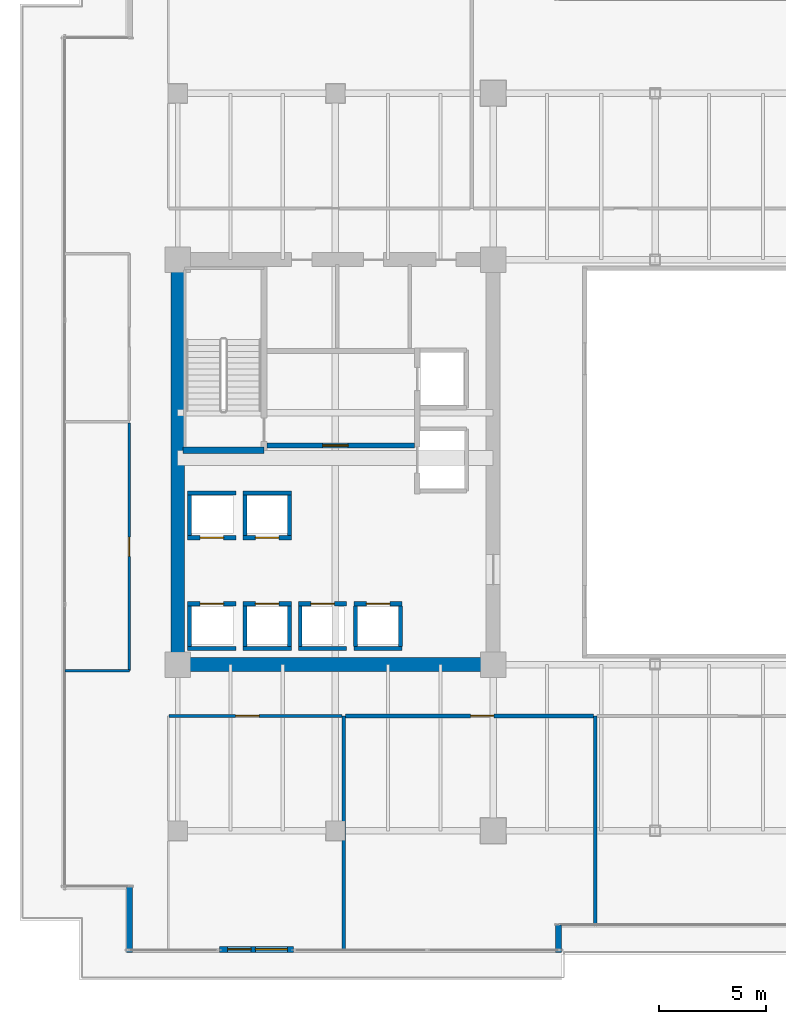
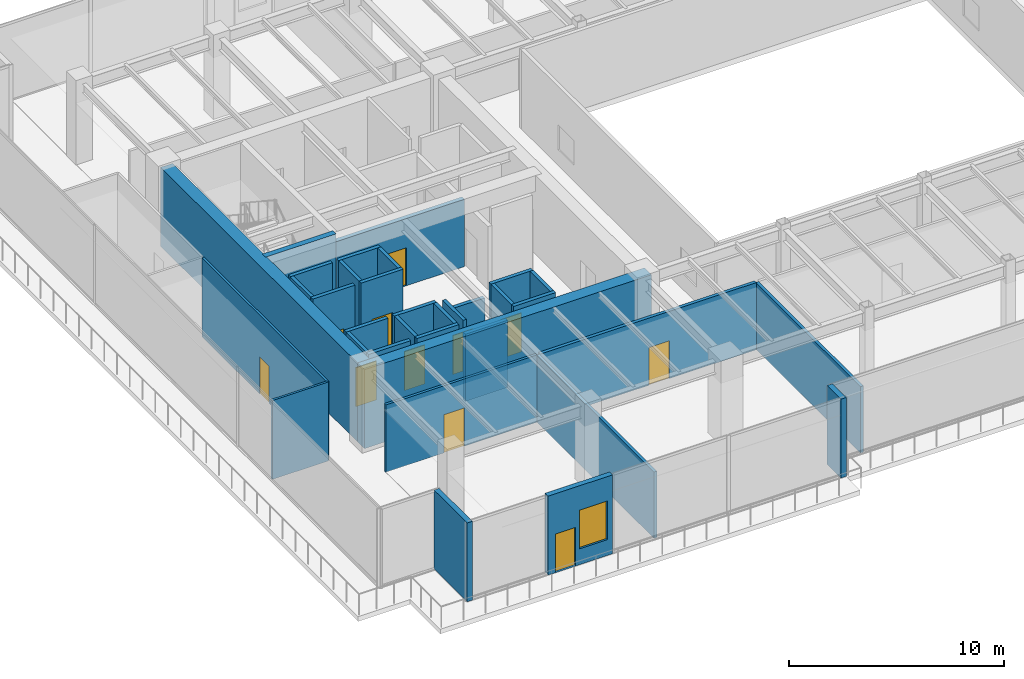
# One storey, part 25 of 33: 34 walls, 11 doors, 1 window, 12 openings.
"""IFC4 building model written with IfcOpenShell, lengths in metres."""

from ifc_helpers import new_model, si_unit, direction, frame, frame_2d, origin, place, context, subcontext, project, spatial, rectangle, extrude, source, transform, mapped, material, layer, layer_set, type_object, type_shapes, element, fill, save


model = new_model("IFC4")

# Units and contexts
model_context = context("Model", 3, precision=1e-05, world=origin(), true_north=direction((0.0, 1.0)))
body_context = subcontext(model_context, "Body", "Model", "MODEL_VIEW")
ifc_project = project(units=[si_unit("LENGTHUNIT", "METRE"), si_unit("AREAUNIT", "SQUARE_METRE"), si_unit("VOLUMEUNIT", "CUBIC_METRE"), si_unit("PLANEANGLEUNIT", "RADIAN"), si_unit("MASSUNIT", "GRAM", prefix="KILO")], contexts=[model_context])

# Site, building, storey
site_placement = place(None, origin())
site = spatial("IfcSite", under=ifc_project, at=site_placement, CompositionType="ELEMENT")
building_placement = place(site_placement, origin())
building = spatial("IfcBuilding", under=site, at=building_placement, Name="Haelvirn Gate Laboratories", CompositionType="ELEMENT")
storey_placement = place(building_placement, frame((0.0, 0.0, 100.300048828125)))
storey = spatial("IfcBuildingStorey", under=building, at=storey_placement, Name="L24", CompositionType="ELEMENT", Elevation=100.300048828125)

# Wall, openings, door, window
ifc_material_1 = material(Name="Thermally-broken bronze aluminium rainscreen & mineral wool", Category="aluminium")
ifc_layer_1 = layer(ifc_material_1, 0.280029296875, Name="EW-TERR-280")
ifc_layer_set_1 = layer_set([ifc_layer_1], Name="Thermally-broken bronze aluminium rainscreen & mineral wool")
wall_type_1 = type_object("IfcWallType", Name="EW-TERR-280", PredefinedType="STANDARD", material=ifc_layer_set_1)
wall_1_placement = place(storey_placement, frame((9.35693359375, 1.43994140625, 0.0), z_axis=(0.0, 0.0, 1.0), x_axis=(1.0, 0.0, 0.0)))
wall_1 = element("IfcWall", 1, at=wall_1_placement, inside=storey, type_object=wall_type_1, Name="L24 Terrace Access Wall SETB-S", PredefinedType="STANDARD", context=body_context, shape_type="SweptSolid", body=[
    extrude(rectangle(XDim=3.466064453125, YDim=0.280029296875, at=frame_2d((1.73291015625, 0.0))), origin(), (0.0, 0.0, 1.0), 4.489990234375),
])
opening_1_placement = place(wall_1_placement, frame((0.383056640625, 0.0, 0.0)))
opening_1 = element("IfcOpeningElement", 2, at=opening_1_placement, cuts=wall_1, Name="Opening TD1", PredefinedType="OPENING", context=body_context, shape_type="SweptSolid", body=[
    extrude(rectangle(XDim=1.10009765625, YDim=2.199951171875, at=frame_2d((0.550048828125, 1.10009765625))), frame((0.0, 0.14990234375, 0.0), z_axis=(0.0, -1.0, 0.0), x_axis=(1.0, 0.0, 0.0)), (0.0, 0.0, 1.0), 0.300048828125),
])
opening_2_placement = place(wall_1_placement, frame((1.68310546875, 0.0, 0.89990234375)))
opening_2 = element("IfcOpeningElement", 3, at=opening_2_placement, cuts=wall_1, Name="Opening W3", PredefinedType="OPENING", context=body_context, shape_type="SweptSolid", body=[
    extrude(rectangle(XDim=1.5, YDim=2.199951171875, at=frame_2d((0.75, 1.10009765625))), frame((0.0, 0.14990234375, 0.0), z_axis=(0.0, -1.0, 0.0), x_axis=(1.0, 0.0, 0.0)), (0.0, 0.0, 1.0), 0.300048828125),
])
ifc_material_2 = material(Name="Thermally-broken bronze aluminium glazed terrace door", Category="aluminium")
door_type_1 = type_object("IfcDoorType", Name="DR-TERR-1100", OperationType="NOTDEFINED", PredefinedType="DOOR", material=ifc_material_2)
shared_shape_1 = source(origin(), body_context, "Body", "SweptSolid", [
    extrude(rectangle(XDim=1.10009765625, YDim=2.199951171875, at=frame_2d((0.550048828125, 1.10009765625))), frame((0.0, 0.02490234375, 0.0), z_axis=(0.0, -1.0, 0.0), x_axis=(1.0, 0.0, 0.0)), (0.0, 0.0, 1.0), 0.050048828125),
])
type_shapes(door_type_1, [shared_shape_1])
door_1_placement = place(opening_1_placement, origin())
door_1 = element("IfcDoor", 4, at=door_1_placement, inside=storey, type_object=door_type_1, Name="L24 Terrace Access Door SETB-S", OperationType="SINGLE_SWING_LEFT", OverallHeight=2.199951171875, OverallWidth=1.10009765625, PredefinedType="DOOR", context=body_context, shape_type="MappedRepresentation", body=[
    mapped(shared_shape_1, transform((0.0, 0.0, 0.0), scale=1.0)),
])
fill(opening_1, door_1)
ifc_material_3 = material(Name="Bronze anodised aluminium & triple low-E glass", Category="aluminium")
window_type = type_object("IfcWindowType", Name="WIN-TERR-1600", PartitioningType="SINGLE_PANEL", PredefinedType="WINDOW", material=ifc_material_3)
shared_shape_2 = source(origin(), body_context, "Body", "SweptSolid", [
    extrude(rectangle(XDim=1.5, YDim=2.199951171875, at=frame_2d((0.75, 1.10009765625))), frame((0.0, 0.030029296875, 0.0), z_axis=(0.0, -1.0, 0.0), x_axis=(1.0, 0.0, 0.0)), (0.0, 0.0, 1.0), 0.06005859375),
])
type_shapes(window_type, [shared_shape_2])
window_placement = place(opening_2_placement, origin())
window = element("IfcWindow", 5, at=window_placement, inside=storey, type_object=window_type, Name="L24 Terrace Vision Window SETB-S", OverallHeight=2.199951171875, OverallWidth=1.5, PartitioningType="SINGLE_PANEL", PredefinedType="WINDOW", context=body_context, shape_type="MappedRepresentation", body=[
    mapped(shared_shape_2, transform((0.0, 0.0, 0.0), scale=1.0)),
])
fill(opening_2, window)

# Walls
wall_2_placement = place(storey_placement, frame((25.260009765625, 1.300048828125, 0.0), z_axis=(0.0, 0.0, 1.0), x_axis=(0.0, 1.0, 0.0)))
element("IfcWall", 6, at=wall_2_placement, inside=storey, type_object=wall_type_1, Name="L24 Atrium Recess Bronze Return Wall 01", PredefinedType="STANDARD", context=body_context, shape_type="SweptSolid", body=[
    extrude(rectangle(XDim=1.287841796875, YDim=0.280029296875, at=frame_2d((0.64404296875, 0.0))), origin(), (0.0, 0.0, 1.0), 4.489990234375),
])
wall_3_placement = place(storey_placement, frame((5.139892578125, 4.387939453125, 0.0), z_axis=(0.0, 0.0, 1.0), x_axis=(0.0, -1.0, 0.0)))
element("IfcWall", 7, at=wall_3_placement, inside=storey, type_object=wall_type_1, Name="L24 Atrium Recess Bronze Return Wall 19", PredefinedType="STANDARD", context=body_context, shape_type="SweptSolid", body=[
    extrude(rectangle(XDim=3.087890625, YDim=0.280029296875, at=frame_2d((1.5439453125, 0.0))), origin(), (0.0, 0.0, 1.0), 4.489990234375),
])
ifc_material_4 = material(Name="Double-layer acoustic gypsum laboratory partition", Category="gypsum")
ifc_layer_2 = layer(ifc_material_4, 0.159912109375, Name="IW-ACOUST-160")
ifc_layer_set_2 = layer_set([ifc_layer_2], Name="Double-layer acoustic gypsum laboratory partition")
wall_type_2 = type_object("IfcWallType", Name="IW-ACOUST-160", PredefinedType="PARTITIONING", material=ifc_layer_set_2)
wall_4_placement = place(storey_placement, frame((15.199951171875, 1.409912109375, 0.0), z_axis=(0.0, 0.0, 1.0), x_axis=(0.0, 1.0, 0.0)))
element("IfcWall", 8, at=wall_4_placement, inside=storey, type_object=wall_type_2, Name="L24 Interior Wall IW-L24-SDIV-01", PredefinedType="PARTITIONING", context=body_context, shape_type="SweptSolid", body=[
    extrude(rectangle(XDim=10.97998046875, YDim=0.159912109375, at=frame_2d((5.489990234375, 0.0))), origin(), (0.0, 0.0, 1.0), 3.77490234375),
])
wall_5_placement = place(storey_placement, frame((27.0, 2.610107421875, 0.0), z_axis=(0.0, 0.0, 1.0), x_axis=(0.0, 1.0, 0.0)))
element("IfcWall", 9, at=wall_5_placement, inside=storey, type_object=wall_type_2, Name="L24 Interior Wall IW-L24-SDIV-02", PredefinedType="PARTITIONING", context=body_context, shape_type="SweptSolid", body=[
    extrude(rectangle(XDim=9.77978515625, YDim=0.159912109375, at=frame_2d((4.889892578125, 0.0))), origin(), (0.0, 0.0, 1.0), 3.77490234375),
])

# Wall, opening, door
ifc_material_5 = material(Name="Fire-rated acoustic gypsum board partition", Category="gypsum")
ifc_layer_3 = layer(ifc_material_5, 0.175048828125, Name="IW-ACOUST-180")
ifc_layer_set_3 = layer_set([ifc_layer_3], Name="Fire-rated acoustic gypsum board partition")
wall_type_3 = type_object("IfcWallType", Name="IW-ACOUST-180", PredefinedType="PARTITIONING", material=ifc_layer_set_3)
wall_6_placement = place(storey_placement, frame((15.280029296875, 12.389892578125, 0.0), z_axis=(0.0, 0.0, 1.0), x_axis=(1.0, 0.0, 0.0)))
wall_6 = element("IfcWall", 10, at=wall_6_placement, inside=storey, type_object=wall_type_3, Name="L24 Interior Wall IW-L24-SCORR-02", PredefinedType="PARTITIONING", context=body_context, shape_type="SweptSolid", body=[
    extrude(rectangle(XDim=11.639892578125, YDim=0.175048828125, at=frame_2d((5.81982421875, 0.0))), origin(), (0.0, 0.0, 1.0), 3.824951171875),
])
opening_3_placement = place(wall_6_placement, frame((5.8603515625, 0.0, 0.0)))
opening_3 = element("IfcOpeningElement", 11, at=opening_3_placement, cuts=wall_6, Name="Opening FD3", PredefinedType="OPENING", context=body_context, shape_type="SweptSolid", body=[
    extrude(rectangle(XDim=1.10009765625, YDim=2.14990234375, at=frame_2d((0.550048828125, 1.074951171875))), frame((0.0, 0.09765625, 0.0), z_axis=(0.0, -1.0, 0.0), x_axis=(1.0, 0.0, 0.0)), (0.0, 0.0, 1.0), 0.195068359375),
])
ifc_material_6 = material(Name="Fire-rated steel SM355 escape stair door", Category="steel")
door_type_2 = type_object("IfcDoorType", Name="DR-FD-1100", OperationType="NOTDEFINED", PredefinedType="DOOR", material=ifc_material_6)
shared_shape_3 = source(origin(), body_context, "Body", "SweptSolid", [
    extrude(rectangle(XDim=1.10009765625, YDim=2.14990234375, at=frame_2d((0.550048828125, 1.074951171875))), frame((0.0, 0.02490234375, 0.0), z_axis=(0.0, -1.0, 0.0), x_axis=(1.0, 0.0, 0.0)), (0.0, 0.0, 1.0), 0.050048828125),
])
type_shapes(door_type_2, [shared_shape_3])
door_2_placement = place(opening_3_placement, origin())
door_2 = element("IfcDoor", 12, at=door_2_placement, inside=storey, type_object=door_type_2, Name="L24 Sky Lobby Transfer Concourse Door S2", OperationType="SINGLE_SWING_RIGHT", OverallHeight=2.14990234375, OverallWidth=1.10009765625, PredefinedType="DOOR", context=body_context, shape_type="MappedRepresentation", body=[
    mapped(shared_shape_3, transform((0.0, 0.0, 0.0), scale=1.0)),
])
fill(opening_3, door_2)

# Wall
ifc_material_7 = material(Name="Lightweight acoustic gypsum board partition", Category="gypsum")
ifc_layer_4 = layer(ifc_material_7, 0.1201171875, Name="IW-PART-120")
ifc_layer_set_4 = layer_set([ifc_layer_4], Name="Lightweight acoustic gypsum board partition")
wall_type_4 = type_object("IfcWallType", Name="IW-PART-120", PredefinedType="PARTITIONING", material=ifc_layer_set_4)
wall_7_placement = place(storey_placement, frame((2.110107421875, 14.514892578125, 0.0), z_axis=(0.0, 0.0, 1.0), x_axis=(1.0, 0.0, 0.0)))
element("IfcWall", 13, at=wall_7_placement, inside=storey, type_object=wall_type_4, Name="L24 Interior Wall IW-L24-WCAP-S", PredefinedType="PARTITIONING", context=body_context, shape_type="SweptSolid", body=[
    extrude(rectangle(XDim=3.019775390625, YDim=0.1201171875, at=frame_2d((1.509765625, 0.0))), origin(), (0.0, 0.0, 1.0), 4.489990234375),
])

# Wall, opening, door
wall_8_placement = place(storey_placement, frame((5.1298828125, 14.514892578125, 0.0), z_axis=(0.0, 0.0, 1.0), x_axis=(0.0, 1.0, 0.0)))
wall_8 = element("IfcWall", 14, at=wall_8_placement, inside=storey, type_object=wall_type_4, Name="L24 Interior Wall IW-L24-WPASS-01", PredefinedType="PARTITIONING", context=body_context, shape_type="SweptSolid", body=[
    extrude(rectangle(XDim=11.625, YDim=0.1201171875, at=frame_2d((5.8125, 0.0))), origin(), (0.0, 0.0, 1.0), 4.489990234375),
])
opening_4_placement = place(wall_8_placement, frame((5.362548828125, 0.0, 0.0)))
opening_4 = element("IfcOpeningElement", 15, at=opening_4_placement, cuts=wall_8, Name="Opening D4", PredefinedType="OPENING", context=body_context, shape_type="SweptSolid", body=[
    extrude(rectangle(XDim=0.89990234375, YDim=2.10009765625, at=frame_2d((0.449951171875, 1.050048828125))), frame((0.0, 0.070068359375, 0.0), z_axis=(0.0, -1.0, 0.0), x_axis=(1.0, 0.0, 0.0)), (0.0, 0.0, 1.0), 0.14013671875),
])
ifc_material_8 = material(Name="Glazed aluminium-framed write-up door", Category="aluminium")
door_type_3 = type_object("IfcDoorType", Name="DR-OFF-900", OperationType="NOTDEFINED", PredefinedType="DOOR", material=ifc_material_8)
shared_shape_4 = source(origin(), body_context, "Body", "SweptSolid", [
    extrude(rectangle(XDim=0.89990234375, YDim=2.10009765625, at=frame_2d((0.449951171875, 1.050048828125))), frame((0.0, 0.02490234375, 0.0), z_axis=(0.0, -1.0, 0.0), x_axis=(1.0, 0.0, 0.0)), (0.0, 0.0, 1.0), 0.050048828125),
])
type_shapes(door_type_3, [shared_shape_4])
door_3_placement = place(opening_4_placement, origin())
door_3 = element("IfcDoor", 16, at=door_3_placement, inside=storey, type_object=door_type_3, Name="L24 Cleanroom Metrology Suite Door W1", OperationType="SINGLE_SWING_LEFT", OverallHeight=2.10009765625, OverallWidth=0.89990234375, PredefinedType="DOOR", context=body_context, shape_type="MappedRepresentation", body=[
    mapped(shared_shape_4, transform((0.0, 0.0, 0.0), scale=1.0)),
])
fill(opening_4, door_3)

ifc_material_9 = material(Name="Acoustic mineral-wool gypsum board partition", Category="gypsum")
ifc_layer_5 = layer(ifc_material_9, 0.139892578125, Name="IW-PART-140")
ifc_layer_set_5 = layer_set([ifc_layer_5], Name="Acoustic mineral-wool gypsum board partition")
wall_type_5 = type_object("IfcWallType", Name="IW-PART-140", PredefinedType="PARTITIONING", material=ifc_layer_set_5)
wall_9_placement = place(storey_placement, frame((6.97998046875, 12.389892578125, 0.0), z_axis=(0.0, 0.0, 1.0), x_axis=(1.0, 0.0, 0.0)))
wall_9 = element("IfcWall", 17, at=wall_9_placement, inside=storey, type_object=wall_type_5, Name="L24 Interior Wall IW-L24-SCORR-01", PredefinedType="PARTITIONING", context=body_context, shape_type="SweptSolid", body=[
    extrude(rectangle(XDim=8.14013671875, YDim=0.139892578125, at=frame_2d((4.070068359375, 0.0))), origin(), (0.0, 0.0, 1.0), 3.824951171875),
])
opening_5_placement = place(wall_9_placement, frame((3.1396484375, 0.0, 0.0)))
opening_5 = element("IfcOpeningElement", 18, at=opening_5_placement, cuts=wall_9, Name="Opening D1", PredefinedType="OPENING", context=body_context, shape_type="SweptSolid", body=[
    extrude(rectangle(XDim=1.10009765625, YDim=2.179931640625, at=frame_2d((0.550048828125, 1.08984375))), frame((0.0, 0.080078125, 0.0), z_axis=(0.0, -1.0, 0.0), x_axis=(1.0, 0.0, 0.0)), (0.0, 0.0, 1.0), 0.159912109375),
])
ifc_material_10 = material(Name="Vision-panel acoustic solid-core timber lab door", Category="wood")
door_type_4 = type_object("IfcDoorType", Name="DR-LAB-1100", OperationType="NOTDEFINED", PredefinedType="DOOR", material=ifc_material_10)
shared_shape_5 = source(origin(), body_context, "Body", "SweptSolid", [
    extrude(rectangle(XDim=1.10009765625, YDim=2.179931640625, at=frame_2d((0.550048828125, 1.08984375))), frame((0.0, 0.02490234375, 0.0), z_axis=(0.0, -1.0, 0.0), x_axis=(1.0, 0.0, 0.0)), (0.0, 0.0, 1.0), 0.050048828125),
])
type_shapes(door_type_4, [shared_shape_5])
door_4_placement = place(opening_5_placement, origin())
door_4 = element("IfcDoor", 19, at=door_4_placement, inside=storey, type_object=door_type_4, Name="L24 West Sky Fellows Reading Lounge Door S1", OperationType="SINGLE_SWING_LEFT", OverallHeight=2.179931640625, OverallWidth=1.10009765625, PredefinedType="DOOR", context=body_context, shape_type="MappedRepresentation", body=[
    mapped(shared_shape_5, transform((0.0, 0.0, 0.0), scale=1.0)),
])
fill(opening_5, door_4)

# Walls
ifc_material_11 = material(Name="Concrete C40/50", Category="concrete")
ifc_layer_6 = layer(ifc_material_11, 0.179931640625, Name="IW-SHAFT-180")
ifc_layer_set_6 = layer_set([ifc_layer_6], Name="Concrete C40/50")
wall_type_6 = type_object("IfcWallType", Name="IW-SHAFT-180", PredefinedType="SOLIDWALL", material=ifc_layer_set_6)
for number, where, z_axis, x_axis, name in (
    (20, (7.949951171875, 15.64990234375, 0.0), (0.0, 0.0, 1.0), (0.0, 1.0, 0.0), "L24 Interior Wall IW-L24-PL1-SD"),
    (21, (10.550048828125, 15.64990234375, 0.0), (0.0, 0.0, 1.0), (0.0, 1.0, 0.0), "L24 Interior Wall IW-L24-PL2-SD"),
    (22, (12.64990234375, 15.64990234375, 0.0), (0.0, 0.0, 1.0), (0.0, 1.0, 0.0), "L24 Interior Wall IW-L24-PL2-SDE"),
    (23, (13.14990234375, 15.64990234375, 0.0), (0.0, 0.0, 1.0), (0.0, 1.0, 0.0), "L24 Interior Wall IW-L24-PL5-SD"),
    (24, (15.75, 15.64990234375, 0.0), (0.0, 0.0, 1.0), (0.0, 1.0, 0.0), "L24 Interior Wall IW-L24-PL6-SD"),
    (25, (17.85009765625, 15.64990234375, 0.0), (0.0, 0.0, 1.0), (0.0, 1.0, 0.0), "L24 Interior Wall IW-L24-PL6-SDE"),
):
    element("IfcWall", number, at=place(storey_placement, frame(where, z_axis=z_axis, x_axis=x_axis)), inside=storey, type_object=wall_type_6, Name=name, PredefinedType="SOLIDWALL", context=body_context, shape_type="SweptSolid", body=[
        extrude(rectangle(XDim=1.900146484375, YDim=0.179931640625, at=frame_2d((0.9501953125, 0.0))), origin(), (0.0, 0.0, 1.0), 4.489990234375),
    ])
for number, where, z_axis, x_axis, name in (
    (26, (7.949951171875, 20.85009765625, 0.0), (0.0, 0.0, 1.0), (0.0, 1.0, 0.0), "L24 Interior Wall IW-L24-PL9-SD"),
    (27, (10.550048828125, 20.85009765625, 0.0), (0.0, 0.0, 1.0), (0.0, 1.0, 0.0), "L24 Interior Wall IW-L24-PL10-SD"),
    (28, (12.64990234375, 20.85009765625, 0.0), (0.0, 0.0, 1.0), (0.0, 1.0, 0.0), "L24 Interior Wall IW-L24-PL10-SDE"),
):
    element("IfcWall", number, at=place(storey_placement, frame(where, z_axis=z_axis, x_axis=x_axis)), inside=storey, type_object=wall_type_6, Name=name, PredefinedType="SOLIDWALL", context=body_context, shape_type="SweptSolid", body=[
        extrude(rectangle(XDim=1.89990234375, YDim=0.179931640625, at=frame_2d((0.949951171875, 0.0))), origin(), (0.0, 0.0, 1.0), 4.489990234375),
    ])

# Wall, opening, door
ifc_layer_7 = layer(ifc_material_11, 0.199951171875, Name="IW-SHAFT-200")
ifc_layer_set_7 = layer_set([ifc_layer_7], Name="Concrete C40/50")
wall_type_7 = type_object("IfcWallType", Name="IW-SHAFT-200", PredefinedType="SOLIDWALL", material=ifc_layer_set_7)
wall_10_placement = place(storey_placement, frame((7.8701171875, 17.64990234375, 0.0), z_axis=(0.0, 0.0, 1.0), x_axis=(1.0, 0.0, 0.0)))
wall_10 = element("IfcWall", 29, at=wall_10_placement, inside=storey, type_object=wall_type_7, Name="L24 Interior Wall IW-L24-PL1-FR", PredefinedType="SOLIDWALL", context=body_context, shape_type="SweptSolid", body=[
    extrude(rectangle(XDim=2.259765625, YDim=0.199951171875, at=frame_2d((1.1298828125, 0.0))), origin(), (0.0, 0.0, 1.0), 4.489990234375),
])
opening_6_placement = place(wall_10_placement, frame((0.580078125, 0.0, 0.0)))
opening_6 = element("IfcOpeningElement", 30, at=opening_6_placement, cuts=wall_10, Name="Opening LD2", PredefinedType="OPENING", context=body_context, shape_type="SweptSolid", body=[
    extrude(rectangle(XDim=1.10009765625, YDim=2.219970703125, at=frame_2d((0.550048828125, 1.10986328125))), frame((0.0, 0.10986328125, 0.0), z_axis=(0.0, -1.0, 0.0), x_axis=(1.0, 0.0, 0.0)), (0.0, 0.0, 1.0), 0.219970703125),
])
ifc_material_12 = material(Name="Bronze stainless 316L sliding lift landing door")
door_type_5 = type_object("IfcDoorType", Name="DR-LD-1100", OperationType="NOTDEFINED", PredefinedType="USERDEFINED", material=ifc_material_12)
shared_shape_6 = source(origin(), body_context, "Body", "SweptSolid", [
    extrude(rectangle(XDim=1.10009765625, YDim=2.219970703125, at=frame_2d((0.550048828125, 1.10986328125))), frame((0.0, 0.02490234375, 0.0), z_axis=(0.0, -1.0, 0.0), x_axis=(1.0, 0.0, 0.0)), (0.0, 0.0, 1.0), 0.050048828125),
])
type_shapes(door_type_5, [shared_shape_6])
door_5_placement = place(opening_6_placement, origin())
door_5 = element("IfcDoor", 31, at=door_5_placement, inside=storey, type_object=door_type_5, Name="L24 Passenger Lift PL1 Landing Door", ObjectType="LANDING_DOOR", OperationType="SLIDING_TO_LEFT", OverallHeight=2.219970703125, OverallWidth=1.10009765625, PredefinedType="USERDEFINED", context=body_context, shape_type="MappedRepresentation", body=[
    mapped(shared_shape_6, transform((0.0, 0.0, 0.0), scale=1.0)),
])
fill(opening_6, door_5)

# Wall
wall_11_placement = place(storey_placement, frame((7.8701171875, 15.550048828125, 0.0), z_axis=(0.0, 0.0, 1.0), x_axis=(1.0, 0.0, 0.0)))
element("IfcWall", 32, at=wall_11_placement, inside=storey, type_object=wall_type_7, Name="L24 Interior Wall IW-L24-PL1-BK", PredefinedType="SOLIDWALL", context=body_context, shape_type="SweptSolid", body=[
    extrude(rectangle(XDim=2.259765625, YDim=0.199951171875, at=frame_2d((1.1298828125, 0.0))), origin(), (0.0, 0.0, 1.0), 4.489990234375),
])

# Wall, opening, door
wall_12_placement = place(storey_placement, frame((10.469970703125, 17.64990234375, 0.0), z_axis=(0.0, 0.0, 1.0), x_axis=(1.0, 0.0, 0.0)))
wall_12 = element("IfcWall", 33, at=wall_12_placement, inside=storey, type_object=wall_type_7, Name="L24 Interior Wall IW-L24-PL2-FR", PredefinedType="SOLIDWALL", context=body_context, shape_type="SweptSolid", body=[
    extrude(rectangle(XDim=2.260009765625, YDim=0.199951171875, at=frame_2d((1.1298828125, 0.0))), origin(), (0.0, 0.0, 1.0), 4.489990234375),
])
opening_7_placement = place(wall_12_placement, frame((0.580078125, 0.0, 0.0)))
opening_7 = element("IfcOpeningElement", 34, at=opening_7_placement, cuts=wall_12, Name="Opening LD2", PredefinedType="OPENING", context=body_context, shape_type="SweptSolid", body=[
    extrude(rectangle(XDim=1.10009765625, YDim=2.219970703125, at=frame_2d((0.550048828125, 1.10986328125))), frame((0.0, 0.10986328125, 0.0), z_axis=(0.0, -1.0, 0.0), x_axis=(1.0, 0.0, 0.0)), (0.0, 0.0, 1.0), 0.219970703125),
])
door_6_placement = place(opening_7_placement, origin())
door_6 = element("IfcDoor", 35, at=door_6_placement, inside=storey, type_object=door_type_5, Name="L24 Passenger Lift PL2 Landing Door", ObjectType="LANDING_DOOR", OperationType="SLIDING_TO_RIGHT", OverallHeight=2.219970703125, OverallWidth=1.10009765625, PredefinedType="USERDEFINED", context=body_context, shape_type="MappedRepresentation", body=[
    mapped(shared_shape_6, transform((0.0, 0.0, 0.0), scale=1.0)),
])
fill(opening_7, door_6)

# Wall
wall_13_placement = place(storey_placement, frame((10.469970703125, 15.550048828125, 0.0), z_axis=(0.0, 0.0, 1.0), x_axis=(1.0, 0.0, 0.0)))
element("IfcWall", 36, at=wall_13_placement, inside=storey, type_object=wall_type_7, Name="L24 Interior Wall IW-L24-PL2-BK", PredefinedType="SOLIDWALL", context=body_context, shape_type="SweptSolid", body=[
    extrude(rectangle(XDim=2.260009765625, YDim=0.199951171875, at=frame_2d((1.1298828125, 0.0))), origin(), (0.0, 0.0, 1.0), 4.489990234375),
])

# Wall, opening, door
wall_14_placement = place(storey_placement, frame((13.070068359375, 17.64990234375, 0.0), z_axis=(0.0, 0.0, 1.0), x_axis=(1.0, 0.0, 0.0)))
wall_14 = element("IfcWall", 37, at=wall_14_placement, inside=storey, type_object=wall_type_7, Name="L24 Interior Wall IW-L24-PL5-FR", PredefinedType="SOLIDWALL", context=body_context, shape_type="SweptSolid", body=[
    extrude(rectangle(XDim=2.260009765625, YDim=0.199951171875, at=frame_2d((1.1298828125, 0.0))), origin(), (0.0, 0.0, 1.0), 3.824951171875),
])
opening_8_placement = place(wall_14_placement, frame((0.580078125, 0.0, 0.0)))
opening_8 = element("IfcOpeningElement", 38, at=opening_8_placement, cuts=wall_14, Name="Opening LD2", PredefinedType="OPENING", context=body_context, shape_type="SweptSolid", body=[
    extrude(rectangle(XDim=1.10009765625, YDim=2.219970703125, at=frame_2d((0.550048828125, 1.10986328125))), frame((0.0, 0.10986328125, 0.0), z_axis=(0.0, -1.0, 0.0), x_axis=(1.0, 0.0, 0.0)), (0.0, 0.0, 1.0), 0.219970703125),
])
door_7_placement = place(opening_8_placement, origin())
door_7 = element("IfcDoor", 39, at=door_7_placement, inside=storey, type_object=door_type_5, Name="L24 Passenger Lift PL5 Landing Door", ObjectType="LANDING_DOOR", OperationType="SLIDING_TO_LEFT", OverallHeight=2.219970703125, OverallWidth=1.10009765625, PredefinedType="USERDEFINED", context=body_context, shape_type="MappedRepresentation", body=[
    mapped(shared_shape_6, transform((0.0, 0.0, 0.0), scale=1.0)),
])
fill(opening_8, door_7)

# Wall
wall_15_placement = place(storey_placement, frame((13.070068359375, 15.550048828125, 0.0), z_axis=(0.0, 0.0, 1.0), x_axis=(1.0, 0.0, 0.0)))
element("IfcWall", 40, at=wall_15_placement, inside=storey, type_object=wall_type_7, Name="L24 Interior Wall IW-L24-PL5-BK", PredefinedType="SOLIDWALL", context=body_context, shape_type="SweptSolid", body=[
    extrude(rectangle(XDim=2.260009765625, YDim=0.199951171875, at=frame_2d((1.1298828125, 0.0))), origin(), (0.0, 0.0, 1.0), 3.824951171875),
])

# Wall, opening, door
wall_16_placement = place(storey_placement, frame((15.669921875, 17.64990234375, 0.0), z_axis=(0.0, 0.0, 1.0), x_axis=(1.0, 0.0, 0.0)))
wall_16 = element("IfcWall", 41, at=wall_16_placement, inside=storey, type_object=wall_type_7, Name="L24 Interior Wall IW-L24-PL6-FR", PredefinedType="SOLIDWALL", context=body_context, shape_type="SweptSolid", body=[
    extrude(rectangle(XDim=2.260009765625, YDim=0.199951171875, at=frame_2d((1.1298828125, 0.0))), origin(), (0.0, 0.0, 1.0), 4.489990234375),
])
opening_9_placement = place(wall_16_placement, frame((0.580078125, 0.0, 0.0)))
opening_9 = element("IfcOpeningElement", 42, at=opening_9_placement, cuts=wall_16, Name="Opening LD2", PredefinedType="OPENING", context=body_context, shape_type="SweptSolid", body=[
    extrude(rectangle(XDim=1.10009765625, YDim=2.219970703125, at=frame_2d((0.550048828125, 1.10986328125))), frame((0.0, 0.10986328125, 0.0), z_axis=(0.0, -1.0, 0.0), x_axis=(1.0, 0.0, 0.0)), (0.0, 0.0, 1.0), 0.219970703125),
])
door_8_placement = place(opening_9_placement, origin())
door_8 = element("IfcDoor", 43, at=door_8_placement, inside=storey, type_object=door_type_5, Name="L24 Passenger Lift PL6 Landing Door", ObjectType="LANDING_DOOR", OperationType="SLIDING_TO_RIGHT", OverallHeight=2.219970703125, OverallWidth=1.10009765625, PredefinedType="USERDEFINED", context=body_context, shape_type="MappedRepresentation", body=[
    mapped(shared_shape_6, transform((0.0, 0.0, 0.0), scale=1.0)),
])
fill(opening_9, door_8)

# Wall
wall_17_placement = place(storey_placement, frame((15.669921875, 15.550048828125, 0.0), z_axis=(0.0, 0.0, 1.0), x_axis=(1.0, 0.0, 0.0)))
element("IfcWall", 44, at=wall_17_placement, inside=storey, type_object=wall_type_7, Name="L24 Interior Wall IW-L24-PL6-BK", PredefinedType="SOLIDWALL", context=body_context, shape_type="SweptSolid", body=[
    extrude(rectangle(XDim=2.260009765625, YDim=0.199951171875, at=frame_2d((1.1298828125, 0.0))), origin(), (0.0, 0.0, 1.0), 4.489990234375),
])

# Wall, opening, door
wall_18_placement = place(storey_placement, frame((7.8701171875, 20.75, 0.0), z_axis=(0.0, 0.0, 1.0), x_axis=(1.0, 0.0, 0.0)))
wall_18 = element("IfcWall", 45, at=wall_18_placement, inside=storey, type_object=wall_type_7, Name="L24 Interior Wall IW-L24-PL9-FR", PredefinedType="SOLIDWALL", context=body_context, shape_type="SweptSolid", body=[
    extrude(rectangle(XDim=2.259765625, YDim=0.199951171875, at=frame_2d((1.1298828125, 0.0))), origin(), (0.0, 0.0, 1.0), 4.489990234375),
])
opening_10_placement = place(wall_18_placement, frame((0.580078125, 0.0, 0.0)))
opening_10 = element("IfcOpeningElement", 46, at=opening_10_placement, cuts=wall_18, Name="Opening LD2", PredefinedType="OPENING", context=body_context, shape_type="SweptSolid", body=[
    extrude(rectangle(XDim=1.10009765625, YDim=2.219970703125, at=frame_2d((0.550048828125, 1.10986328125))), frame((0.0, 0.10986328125, 0.0), z_axis=(0.0, -1.0, 0.0), x_axis=(1.0, 0.0, 0.0)), (0.0, 0.0, 1.0), 0.219970703125),
])
door_9_placement = place(opening_10_placement, origin())
door_9 = element("IfcDoor", 47, at=door_9_placement, inside=storey, type_object=door_type_5, Name="L24 Passenger Lift PL9 Landing Door", ObjectType="LANDING_DOOR", OperationType="SLIDING_TO_LEFT", OverallHeight=2.219970703125, OverallWidth=1.10009765625, PredefinedType="USERDEFINED", context=body_context, shape_type="MappedRepresentation", body=[
    mapped(shared_shape_6, transform((0.0, 0.0, 0.0), scale=1.0)),
])
fill(opening_10, door_9)

# Wall
wall_19_placement = place(storey_placement, frame((7.8701171875, 22.85009765625, 0.0), z_axis=(0.0, 0.0, 1.0), x_axis=(1.0, 0.0, 0.0)))
element("IfcWall", 48, at=wall_19_placement, inside=storey, type_object=wall_type_7, Name="L24 Interior Wall IW-L24-PL9-BK", PredefinedType="SOLIDWALL", context=body_context, shape_type="SweptSolid", body=[
    extrude(rectangle(XDim=2.259765625, YDim=0.199951171875, at=frame_2d((1.1298828125, 0.0))), origin(), (0.0, 0.0, 1.0), 4.489990234375),
])

# Wall, opening, door
wall_20_placement = place(storey_placement, frame((10.469970703125, 20.75, 0.0), z_axis=(0.0, 0.0, 1.0), x_axis=(1.0, 0.0, 0.0)))
wall_20 = element("IfcWall", 49, at=wall_20_placement, inside=storey, type_object=wall_type_7, Name="L24 Interior Wall IW-L24-PL10-FR", PredefinedType="SOLIDWALL", context=body_context, shape_type="SweptSolid", body=[
    extrude(rectangle(XDim=2.260009765625, YDim=0.199951171875, at=frame_2d((1.1298828125, 0.0))), origin(), (0.0, 0.0, 1.0), 4.489990234375),
])
opening_11_placement = place(wall_20_placement, frame((0.580078125, 0.0, 0.0)))
opening_11 = element("IfcOpeningElement", 50, at=opening_11_placement, cuts=wall_20, Name="Opening LD2", PredefinedType="OPENING", context=body_context, shape_type="SweptSolid", body=[
    extrude(rectangle(XDim=1.10009765625, YDim=2.219970703125, at=frame_2d((0.550048828125, 1.10986328125))), frame((0.0, 0.10986328125, 0.0), z_axis=(0.0, -1.0, 0.0), x_axis=(1.0, 0.0, 0.0)), (0.0, 0.0, 1.0), 0.219970703125),
])
door_10_placement = place(opening_11_placement, origin())
door_10 = element("IfcDoor", 51, at=door_10_placement, inside=storey, type_object=door_type_5, Name="L24 Passenger Lift PL10 Landing Door", ObjectType="LANDING_DOOR", OperationType="SLIDING_TO_RIGHT", OverallHeight=2.219970703125, OverallWidth=1.10009765625, PredefinedType="USERDEFINED", context=body_context, shape_type="MappedRepresentation", body=[
    mapped(shared_shape_6, transform((0.0, 0.0, 0.0), scale=1.0)),
])
fill(opening_11, door_10)

# Wall
wall_21_placement = place(storey_placement, frame((10.469970703125, 22.85009765625, 0.0), z_axis=(0.0, 0.0, 1.0), x_axis=(1.0, 0.0, 0.0)))
element("IfcWall", 52, at=wall_21_placement, inside=storey, type_object=wall_type_7, Name="L24 Interior Wall IW-L24-PL10-BK", PredefinedType="SOLIDWALL", context=body_context, shape_type="SweptSolid", body=[
    extrude(rectangle(XDim=2.260009765625, YDim=0.199951171875, at=frame_2d((1.1298828125, 0.0))), origin(), (0.0, 0.0, 1.0), 4.489990234375),
])

# Wall, opening, door
ifc_layer_8 = layer(ifc_material_11, 0.239990234375, Name="IW-SHAFT-240")
ifc_layer_set_8 = layer_set([ifc_layer_8], Name="Concrete C40/50")
wall_type_8 = type_object("IfcWallType", Name="IW-SHAFT-240", PredefinedType="SOLIDWALL", material=ifc_layer_set_8)
wall_22_placement = place(storey_placement, frame((11.60009765625, 25.080078125, 0.0), z_axis=(0.0, 0.0, 1.0), x_axis=(1.0, 0.0, 0.0)))
wall_22 = element("IfcWall", 53, at=wall_22_placement, inside=storey, type_object=wall_type_8, Name="L24 Interior Wall IW-L24-W-FF-S", PredefinedType="SOLIDWALL", context=body_context, shape_type="SweptSolid", body=[
    extrude(rectangle(XDim=6.919921875, YDim=0.239990234375, at=frame_2d((3.4599609375, 0.0))), origin(), (0.0, 0.0, 1.0), 3.824951171875),
])
opening_12_placement = place(wall_22_placement, frame((2.60009765625, 0.0, 0.0)))
opening_12 = element("IfcOpeningElement", 54, at=opening_12_placement, cuts=wall_22, Name="Opening FD2", PredefinedType="OPENING", context=body_context, shape_type="SweptSolid", body=[
    extrude(rectangle(XDim=1.199951171875, YDim=2.159912109375, at=frame_2d((0.60009765625, 1.080078125))), frame((0.0, 0.1298828125, 0.0), z_axis=(0.0, -1.0, 0.0), x_axis=(1.0, 0.0, 0.0)), (0.0, 0.0, 1.0), 0.260009765625),
])
ifc_material_13 = material(Name="Fire-rated steel SM355 compartment door", Category="steel")
door_type_6 = type_object("IfcDoorType", Name="DR-FD-1200", OperationType="NOTDEFINED", PredefinedType="DOOR", material=ifc_material_13)
shared_shape_7 = source(origin(), body_context, "Body", "SweptSolid", [
    extrude(rectangle(XDim=1.199951171875, YDim=2.159912109375, at=frame_2d((0.60009765625, 1.080078125))), frame((0.0, 0.02490234375, 0.0), z_axis=(0.0, -1.0, 0.0), x_axis=(1.0, 0.0, 0.0)), (0.0, 0.0, 1.0), 0.050048828125),
])
type_shapes(door_type_6, [shared_shape_7])
door_11_placement = place(opening_12_placement, origin())
door_11 = element("IfcDoor", 55, at=door_11_placement, inside=storey, type_object=door_type_6, Name="L24 West Firefighting Lobby Door", OperationType="SINGLE_SWING_RIGHT", OverallHeight=2.159912109375, OverallWidth=1.199951171875, PredefinedType="DOOR", context=body_context, shape_type="MappedRepresentation", body=[
    mapped(shared_shape_7, transform((0.0, 0.0, 0.0), scale=1.0)),
])
fill(opening_12, door_11)

# Walls
ifc_material_14 = material(Name="Concrete C60/75", Category="concrete")
ifc_layer_9 = layer(ifc_material_14, 0.64990234375, Name="SW-CORE-650")
ifc_layer_set_9 = layer_set([ifc_layer_9], Name="Concrete C60/75")
wall_type_9 = type_object("IfcWallType", Name="SW-CORE-650", PredefinedType="SHEAR", material=ifc_layer_set_9)
wall_23_placement = place(storey_placement, frame((7.074951171875, 14.800048828125, 0.0), z_axis=(0.0, 0.0, 1.0), x_axis=(1.0, 0.0, 0.0)))
element("IfcWall", 56, at=wall_23_placement, inside=storey, type_object=wall_type_9, Name="L24 W Core Shear Wall S", PredefinedType="SHEAR", context=body_context, shape_type="SweptSolid", body=[
    extrude(rectangle(XDim=15.449951171875, YDim=0.64990234375, at=frame_2d((7.72509765625, 0.0))), origin(), (0.0, 0.0, 1.0), 4.489990234375),
])
wall_24_placement = place(storey_placement, frame((7.39990234375, 15.125, 0.0), z_axis=(0.0, 0.0, 1.0), x_axis=(0.0, 1.0, 0.0)))
element("IfcWall", 57, at=wall_24_placement, inside=storey, type_object=wall_type_9, Name="L24 W Core Shear Wall W", PredefinedType="SHEAR", context=body_context, shape_type="SweptSolid", body=[
    extrude(rectangle(XDim=18.35009765625, YDim=0.64990234375, at=frame_2d((9.175048828125, 0.0))), origin(), (0.0, 0.0, 1.0), 4.489990234375),
])
ifc_material_15 = material(Name="Concrete C50/60", Category="concrete")
ifc_layer_10 = layer(ifc_material_15, 0.300048828125, Name="SW-STAIR-300")
ifc_layer_set_10 = layer_set([ifc_layer_10], Name="Concrete C50/60")
wall_type_10 = type_object("IfcWallType", Name="SW-STAIR-300", PredefinedType="SHEAR", material=ifc_layer_set_10)
wall_25_placement = place(storey_placement, frame((7.64990234375, 24.85009765625, 0.0), z_axis=(0.0, 0.0, 1.0), x_axis=(1.0, 0.0, 0.0)))
element("IfcWall", 58, at=wall_25_placement, inside=storey, type_object=wall_type_10, Name="L24 W Core Stair Shaft Structural Wall S", PredefinedType="SHEAR", context=body_context, shape_type="SweptSolid", body=[
    extrude(rectangle(XDim=3.800048828125, YDim=0.300048828125, at=frame_2d((1.89990234375, 0.0))), origin(), (0.0, 0.0, 1.0), 4.489990234375),
])

save(model, "model.ifc")
